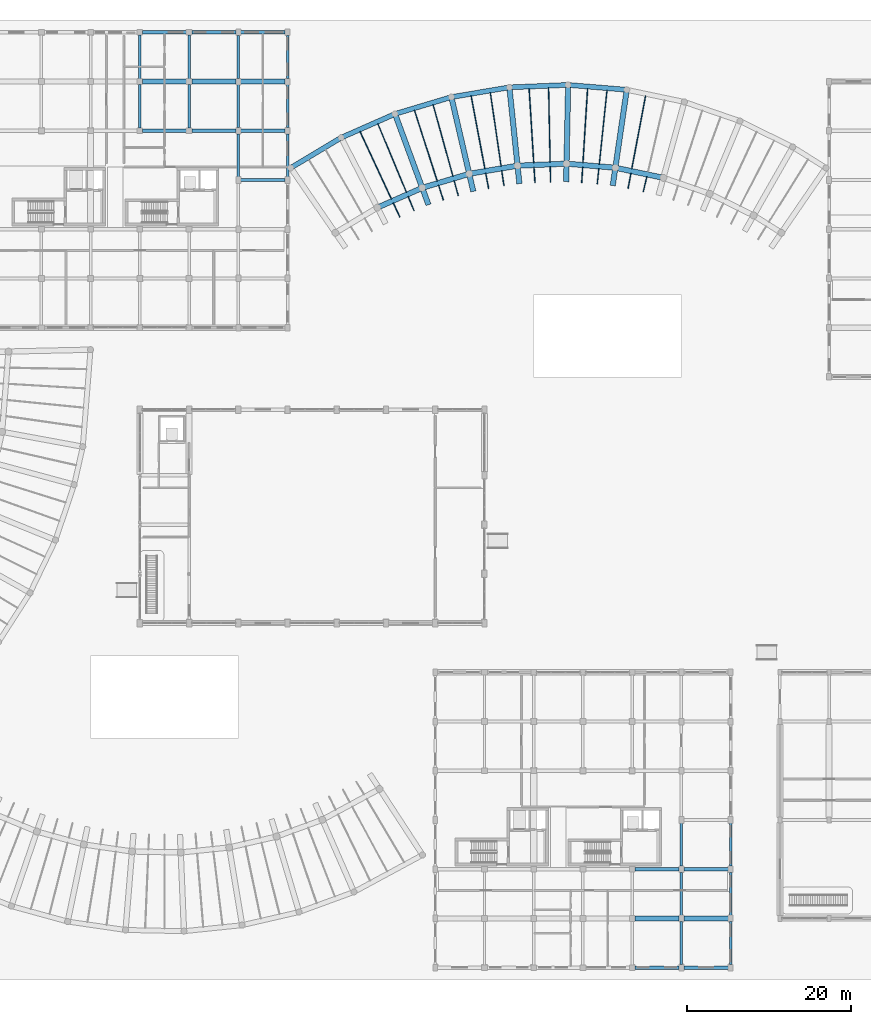
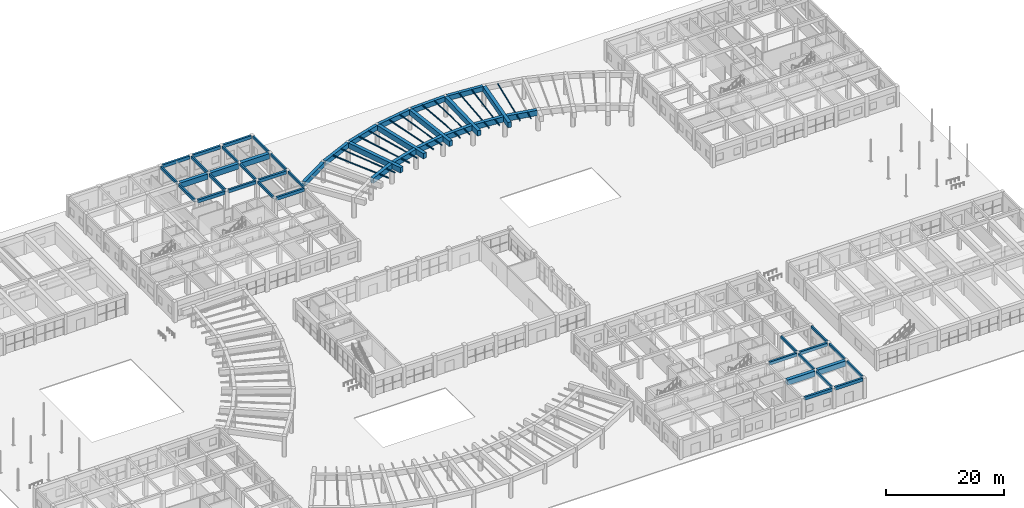
# One storey, part 29 of 76: 72 beams.
"""IFC4 building model written with IfcOpenShell, lengths in metres."""

from ifc_helpers import new_model, si_unit, direction, frame, origin, origin_2d, place, context, subcontext, project, spatial, rectangle, i_section, extrude, material, material_profile, profile_set, type_object, element, save


model = new_model("IFC4")

# Units and contexts
model_context = context("Model", 3, precision=1e-05, world=origin(), true_north=direction((0.0, 1.0)))
body_context = subcontext(model_context, "Body", "Model", "MODEL_VIEW")
ifc_project = project(units=[si_unit("LENGTHUNIT", "METRE"), si_unit("AREAUNIT", "SQUARE_METRE"), si_unit("VOLUMEUNIT", "CUBIC_METRE"), si_unit("PLANEANGLEUNIT", "RADIAN"), si_unit("MASSUNIT", "GRAM", prefix="KILO"), si_unit("POWERUNIT", "WATT"), si_unit("THERMODYNAMICTEMPERATUREUNIT", "KELVIN")], contexts=[model_context])

# Site, building, storey
site_placement = place(None, origin())
site = spatial("IfcSite", under=ifc_project, at=site_placement, CompositionType="ELEMENT")
building_placement = place(site_placement, origin())
building = spatial("IfcBuilding", under=site, at=building_placement, Name="Ruvembo Vaulted Housing Court", CompositionType="ELEMENT")
storey_placement = place(building_placement, origin())
storey = spatial("IfcBuildingStorey", under=building, at=storey_placement, Name="L00", CompositionType="ELEMENT", Elevation=0.0)

# Beams
ifc_material_1 = material(Name="Concrete C35/45", Category="concrete")
ifc_material_profile_1 = material_profile(ifc_material_1, rectangle(XDim=0.300048828125, YDim=0.60009765625, at=origin_2d()), Name="RC 300x600")
ifc_profile_set_1 = profile_set([ifc_material_profile_1], Name="Concrete C35/45")
beam_type_1 = type_object("IfcBeamType", Name="BM-RC-300x600", PredefinedType="BEAM", material=ifc_profile_set_1)
for number, where, z_axis, x_axis, name in (
    (1, (66.0, 102.3349609375, 3.929931640625), (0.0, 1.0, 0.0), (-1.0, 0.0, 0.0), "L00 Grid Beam Y #1013"),
    (2, (66.0, 108.3349609375, 3.929931640625), (0.0, 1.0, 0.0), (-1.0, 0.0, 0.0), "L00 Grid Beam Y #1014"),
    (3, (72.0, 102.3349609375, 3.929931640625), (0.0, 1.0, 0.0), (-1.0, 0.0, 0.0), "L00 Grid Beam Y #1021"),
    (4, (72.0, 108.3349609375, 3.929931640625), (0.0, 1.0, 0.0), (-1.0, 0.0, 0.0), "L00 Grid Beam Y #1022"),
):
    element("IfcBeam", number, at=place(storey_placement, frame(where, z_axis=z_axis, x_axis=x_axis)), inside=storey, type_object=beam_type_1, Name=name, PredefinedType="BEAM", context=body_context, shape_type="SweptSolid", body=[
        extrude(rectangle(XDim=0.300048828125, YDim=0.60009765625, at=origin_2d()), origin(), (0.0, 0.0, 1.0), 5.330078125),
    ])
ifc_material_profile_2 = material_profile(ifc_material_1, rectangle(XDim=0.39990234375, YDim=0.64990234375, at=origin_2d()), Name="RC 400x650")
ifc_profile_set_2 = profile_set([ifc_material_profile_2], Name="Concrete C35/45")
beam_type_2 = type_object("IfcBeamType", Name="BM-RC-400x650", PredefinedType="BEAM", material=ifc_profile_set_2)
beam_1_placement = place(storey_placement, frame((126.3349609375, 0.0, 3.905029296875), z_axis=(1.0, 0.0, 0.0), x_axis=(0.0, 1.0, 0.0)))
element("IfcBeam", 5, at=beam_1_placement, inside=storey, type_object=beam_type_2, Name="L00 Grid Beam X #738", PredefinedType="BEAM", context=body_context, shape_type="SweptSolid", body=[
    extrude(rectangle(XDim=0.39990234375, YDim=0.64990234375, at=origin_2d()), origin(), (0.0, 0.0, 1.0), 5.380126953125),
])
beam_2_placement = place(storey_placement, frame((132.284912109375, 0.0, 3.905029296875), z_axis=(1.0, 0.0, 0.0), x_axis=(0.0, 1.0, 0.0)))
element("IfcBeam", 6, at=beam_2_placement, inside=storey, type_object=beam_type_2, Name="L00 Grid Beam X #739", PredefinedType="BEAM", context=body_context, shape_type="SweptSolid", body=[
    extrude(rectangle(XDim=0.39990234375, YDim=0.64990234375, at=origin_2d()), origin(), (0.0, 0.0, 1.0), 5.43017578125),
])
beam_3_placement = place(storey_placement, frame((126.3349609375, 12.0, 3.905029296875), z_axis=(1.0, 0.0, 0.0), x_axis=(0.0, 1.0, 0.0)))
element("IfcBeam", 7, at=beam_3_placement, inside=storey, type_object=beam_type_2, Name="L00 Grid Beam X #769", PredefinedType="BEAM", context=body_context, shape_type="SweptSolid", body=[
    extrude(rectangle(XDim=0.39990234375, YDim=0.64990234375, at=origin_2d()), origin(), (0.0, 0.0, 1.0), 5.380126953125),
])
for number, where, z_axis, x_axis, name in (
    (8, (132.284912109375, 12.0, 3.905029296875), (1.0, 0.0, 0.0), (0.0, 1.0, 0.0), "L00 Grid Beam X #770"),
    (9, (78.284912109375, 96.0, 3.905029296875), (1.0, 0.0, 0.0), (0.0, 1.0, 0.0), "L00 Grid Beam X #901"),
):
    element("IfcBeam", number, at=place(storey_placement, frame(where, z_axis=z_axis, x_axis=x_axis)), inside=storey, type_object=beam_type_2, Name=name, PredefinedType="BEAM", context=body_context, shape_type="SweptSolid", body=[
        extrude(rectangle(XDim=0.39990234375, YDim=0.64990234375, at=origin_2d()), origin(), (0.0, 0.0, 1.0), 5.43017578125),
    ])
beam_4_placement = place(storey_placement, frame((66.3349609375, 102.0, 3.905029296875), z_axis=(1.0, 0.0, 0.0), x_axis=(0.0, 1.0, 0.0)))
element("IfcBeam", 10, at=beam_4_placement, inside=storey, type_object=beam_type_2, Name="L00 Grid Beam X #911", PredefinedType="BEAM", context=body_context, shape_type="SweptSolid", body=[
    extrude(rectangle(XDim=0.39990234375, YDim=0.64990234375, at=origin_2d()), origin(), (0.0, 0.0, 1.0), 5.330078125),
])
beam_5_placement = place(storey_placement, frame((72.3349609375, 102.0, 3.905029296875), z_axis=(1.0, 0.0, 0.0), x_axis=(0.0, 1.0, 0.0)))
element("IfcBeam", 11, at=beam_5_placement, inside=storey, type_object=beam_type_2, Name="L00 Grid Beam X #912", PredefinedType="BEAM", context=body_context, shape_type="SweptSolid", body=[
    extrude(rectangle(XDim=0.39990234375, YDim=0.64990234375, at=origin_2d()), origin(), (0.0, 0.0, 1.0), 5.380126953125),
])
beam_6_placement = place(storey_placement, frame((78.284912109375, 102.0, 3.905029296875), z_axis=(1.0, 0.0, 0.0), x_axis=(0.0, 1.0, 0.0)))
element("IfcBeam", 12, at=beam_6_placement, inside=storey, type_object=beam_type_2, Name="L00 Grid Beam X #913", PredefinedType="BEAM", context=body_context, shape_type="SweptSolid", body=[
    extrude(rectangle(XDim=0.39990234375, YDim=0.64990234375, at=origin_2d()), origin(), (0.0, 0.0, 1.0), 5.43017578125),
])
beam_7_placement = place(storey_placement, frame((66.3349609375, 114.0, 3.905029296875), z_axis=(1.0, 0.0, 0.0), x_axis=(0.0, 1.0, 0.0)))
element("IfcBeam", 13, at=beam_7_placement, inside=storey, type_object=beam_type_2, Name="L00 Grid Beam X #941", PredefinedType="BEAM", context=body_context, shape_type="SweptSolid", body=[
    extrude(rectangle(XDim=0.39990234375, YDim=0.64990234375, at=origin_2d()), origin(), (0.0, 0.0, 1.0), 5.330078125),
])
beam_8_placement = place(storey_placement, frame((72.3349609375, 114.0, 3.905029296875), z_axis=(1.0, 0.0, 0.0), x_axis=(0.0, 1.0, 0.0)))
element("IfcBeam", 14, at=beam_8_placement, inside=storey, type_object=beam_type_2, Name="L00 Grid Beam X #942", PredefinedType="BEAM", context=body_context, shape_type="SweptSolid", body=[
    extrude(rectangle(XDim=0.39990234375, YDim=0.64990234375, at=origin_2d()), origin(), (0.0, 0.0, 1.0), 5.380126953125),
])
beam_9_placement = place(storey_placement, frame((78.284912109375, 114.0, 3.905029296875), z_axis=(1.0, 0.0, 0.0), x_axis=(0.0, 1.0, 0.0)))
element("IfcBeam", 15, at=beam_9_placement, inside=storey, type_object=beam_type_2, Name="L00 Grid Beam X #943", PredefinedType="BEAM", context=body_context, shape_type="SweptSolid", body=[
    extrude(rectangle(XDim=0.39990234375, YDim=0.64990234375, at=origin_2d()), origin(), (0.0, 0.0, 1.0), 5.43017578125),
])
ifc_material_2 = material(Name="Steel S355J2", Category="steel")
ifc_material_profile_3 = material_profile(ifc_material_2, i_section(OverallWidth=0.08203125, OverallDepth=0.159912109375, WebThickness=0.0048828125, FlangeThickness=0.00732421875, FilletRadius=0.009033203125, at=origin_2d()), Name="IPE 160")
ifc_profile_set_3 = profile_set([ifc_material_profile_3], Name="Steel S355J2")
beam_type_3 = type_object("IfcBeamType", Name="BM-ST-IPE160", PredefinedType="JOIST", material=ifc_profile_set_3)
beam_10_placement = place(storey_placement, frame((95.00390625, 102.856689453125, 4.159912109375), z_axis=(0.384192177087, -0.923253145711, 0.0), x_axis=(0.923253145711, 0.384192177087, 0.0)))
element("IfcBeam", 16, at=beam_10_placement, inside=storey, type_object=beam_type_3, Name="Scoop SC3 L00 Interior Radial Joist 5", PredefinedType="JOIST", context=body_context, shape_type="SweptSolid", body=[
    extrude(i_section(OverallWidth=0.08203125, OverallDepth=0.159912109375, WebThickness=0.0048828125, FlangeThickness=0.00732421875, FilletRadius=0.009033203125, at=origin_2d()), origin(), (0.0, 0.0, 1.0), 9.053466796875),
])
beam_11_placement = place(storey_placement, frame((98.697509765625, 93.98095703125, 4.159912109375), z_axis=(0.384181313701, -0.923257666203, 0.0), x_axis=(0.923257666203, 0.384181313701, 0.0)))
element("IfcBeam", 17, at=beam_11_placement, inside=storey, type_object=beam_type_3, Name="Scoop SC3 L00 Radial Balcony Outrigger Joist 5", PredefinedType="JOIST", context=body_context, shape_type="SweptSolid", body=[
    extrude(i_section(OverallWidth=0.08203125, OverallDepth=0.159912109375, WebThickness=0.0048828125, FlangeThickness=0.00732421875, FilletRadius=0.009033203125, at=origin_2d()), origin(), (0.0, 0.0, 1.0), 1.877197265625),
])
beam_12_placement = place(storey_placement, frame((101.739501953125, 105.179443359375, 4.159912109375), z_axis=(0.266540750321, -0.963823650062, 0.0), x_axis=(0.963823650062, 0.266540750321, 0.0)))
element("IfcBeam", 18, at=beam_12_placement, inside=storey, type_object=beam_type_3, Name="Scoop SC3 L00 Interior Radial Joist 8", PredefinedType="JOIST", context=body_context, shape_type="SweptSolid", body=[
    extrude(i_section(OverallWidth=0.08203125, OverallDepth=0.159912109375, WebThickness=0.0048828125, FlangeThickness=0.00732421875, FilletRadius=0.009033203125, at=origin_2d()), origin(), (0.0, 0.0, 1.0), 9.053466796875),
])
beam_13_placement = place(storey_placement, frame((104.302001953125, 95.913818359375, 4.159912109375), z_axis=(0.266570634102, -0.963815385348, 0.0), x_axis=(0.963815385348, 0.266570634102, 0.0)))
element("IfcBeam", 19, at=beam_13_placement, inside=storey, type_object=beam_type_3, Name="Scoop SC3 L00 Radial Balcony Outrigger Joist 8", PredefinedType="JOIST", context=body_context, shape_type="SweptSolid", body=[
    extrude(i_section(OverallWidth=0.08203125, OverallDepth=0.159912109375, WebThickness=0.0048828125, FlangeThickness=0.00732421875, FilletRadius=0.009033203125, at=origin_2d()), origin(), (0.0, 0.0, 1.0), 1.87744140625),
])
beam_14_placement = place(storey_placement, frame((108.71142578125, 106.647705078125, 4.159912109375), z_axis=(0.144780506483, -0.989463796681, 0.0), x_axis=(0.989463796681, 0.144780506483, 0.0)))
element("IfcBeam", 20, at=beam_14_placement, inside=storey, type_object=beam_type_3, Name="Scoop SC3 L00 Interior Radial Joist 11", PredefinedType="JOIST", context=body_context, shape_type="SweptSolid", body=[
    extrude(i_section(OverallWidth=0.08203125, OverallDepth=0.159912109375, WebThickness=0.0048828125, FlangeThickness=0.00732421875, FilletRadius=0.009033203125, at=origin_2d()), origin(), (0.0, 0.0, 1.0), 9.0537109375),
])
beam_15_placement = place(storey_placement, frame((110.103271484375, 97.135498046875, 4.159912109375), z_axis=(0.144733970708, -0.98947060478, 0.0), x_axis=(0.98947060478, 0.144733970708, 0.0)))
element("IfcBeam", 21, at=beam_15_placement, inside=storey, type_object=beam_type_3, Name="Scoop SC3 L00 Radial Balcony Outrigger Joist 11", PredefinedType="JOIST", context=body_context, shape_type="SweptSolid", body=[
    extrude(i_section(OverallWidth=0.08203125, OverallDepth=0.159912109375, WebThickness=0.0048828125, FlangeThickness=0.00732421875, FilletRadius=0.009033203125, at=origin_2d()), origin(), (0.0, 0.0, 1.0), 1.87744140625),
])
beam_16_placement = place(storey_placement, frame((115.811767578125, 107.23828125, 4.159912109375), z_axis=(0.020764794171, -0.999784388417, 0.0), x_axis=(0.999784388417, 0.020764794171, 0.0)))
element("IfcBeam", 22, at=beam_16_placement, inside=storey, type_object=beam_type_3, Name="Scoop SC3 L00 Interior Radial Joist 14", PredefinedType="JOIST", context=body_context, shape_type="SweptSolid", body=[
    extrude(i_section(OverallWidth=0.08203125, OverallDepth=0.159912109375, WebThickness=0.0048828125, FlangeThickness=0.00732421875, FilletRadius=0.009033203125, at=origin_2d()), origin(), (0.0, 0.0, 1.0), 9.05322265625),
])
beam_17_placement = place(storey_placement, frame((116.011474609375, 97.627197265625, 4.159912109375), z_axis=(0.020674472023, -0.999786260261, 0.0), x_axis=(0.999786260261, 0.020674472023, 0.0)))
element("IfcBeam", 23, at=beam_17_placement, inside=storey, type_object=beam_type_3, Name="Scoop SC3 L00 Radial Balcony Outrigger Joist 14", PredefinedType="JOIST", context=body_context, shape_type="SweptSolid", body=[
    extrude(i_section(OverallWidth=0.08203125, OverallDepth=0.159912109375, WebThickness=0.0048828125, FlangeThickness=0.00732421875, FilletRadius=0.009033203125, at=origin_2d()), origin(), (0.0, 0.0, 1.0), 1.877685546875),
])
beam_18_placement = place(storey_placement, frame((122.9306640625, 106.94287109375, 4.159912109375), z_axis=(-0.103603861204, -0.994618640457, 0.0), x_axis=(0.994618640457, -0.103603861204, 0.0)))
element("IfcBeam", 24, at=beam_18_placement, inside=storey, type_object=beam_type_3, Name="Scoop SC3 L00 Interior Radial Joist 17", PredefinedType="JOIST", context=body_context, shape_type="SweptSolid", body=[
    extrude(i_section(OverallWidth=0.08203125, OverallDepth=0.159912109375, WebThickness=0.0048828125, FlangeThickness=0.00732421875, FilletRadius=0.009033203125, at=origin_2d()), origin(), (0.0, 0.0, 1.0), 9.0537109375),
])
beam_19_placement = place(storey_placement, frame((121.934814453125, 97.381103515625, 4.159912109375), z_axis=(-0.10364896847, -0.994613940851, 0.0), x_axis=(0.994613940851, -0.10364896847, 0.0)))
element("IfcBeam", 25, at=beam_19_placement, inside=storey, type_object=beam_type_3, Name="Scoop SC3 L00 Radial Balcony Outrigger Joist 17", PredefinedType="JOIST", context=body_context, shape_type="SweptSolid", body=[
    extrude(i_section(OverallWidth=0.08203125, OverallDepth=0.159912109375, WebThickness=0.0048828125, FlangeThickness=0.00732421875, FilletRadius=0.009033203125, at=origin_2d()), origin(), (0.0, 0.0, 1.0), 1.877197265625),
])
beam_20_placement = place(storey_placement, frame((127.78173828125, 96.401123046875, 4.159912109375), z_axis=(-0.226407335966, -0.97403270901, 0.0), x_axis=(0.97403270901, -0.226407335966, 0.0)))
element("IfcBeam", 26, at=beam_20_placement, inside=storey, type_object=beam_type_3, Name="Scoop SC3 L00 Radial Balcony Outrigger Joist 20", PredefinedType="JOIST", context=body_context, shape_type="SweptSolid", body=[
    extrude(i_section(OverallWidth=0.08203125, OverallDepth=0.159912109375, WebThickness=0.0048828125, FlangeThickness=0.00732421875, FilletRadius=0.009033203125, at=origin_2d()), origin(), (0.0, 0.0, 1.0), 1.87744140625),
])
ifc_material_profile_4 = material_profile(ifc_material_2, i_section(OverallWidth=0.091064453125, OverallDepth=0.179931640625, WebThickness=0.00537109375, FlangeThickness=0.008056640625, FilletRadius=0.009033203125, at=origin_2d()), Name="IPE 180")
ifc_profile_set_4 = profile_set([ifc_material_profile_4], Name="Steel S355J2")
beam_type_4 = type_object("IfcBeamType", Name="BM-ST-IPE180", PredefinedType="JOIST", material=ifc_profile_set_4)
beam_21_placement = place(storey_placement, frame((92.8291015625, 101.898193359375, 4.14990234375), z_axis=(0.422210699602, -0.906497724841, 0.0), x_axis=(0.906497724841, 0.422210699602, 0.0)))
element("IfcBeam", 27, at=beam_21_placement, inside=storey, type_object=beam_type_4, Name="Scoop SC3 L00 Interior Radial Joist 4", PredefinedType="JOIST", context=body_context, shape_type="SweptSolid", body=[
    extrude(i_section(OverallWidth=0.091064453125, OverallDepth=0.179931640625, WebThickness=0.00537109375, FlangeThickness=0.008056640625, FilletRadius=0.009033203125, at=origin_2d()), origin(), (0.0, 0.0, 1.0), 9.053466796875),
])
beam_22_placement = place(storey_placement, frame((96.887939453125, 93.18359375, 4.14990234375), z_axis=(0.422230423567, -0.906488537939, 0.0), x_axis=(0.906488537939, 0.422230423567, 0.0)))
element("IfcBeam", 28, at=beam_22_placement, inside=storey, type_object=beam_type_4, Name="Scoop SC3 L00 Radial Balcony Outrigger Joist 4", PredefinedType="JOIST", context=body_context, shape_type="SweptSolid", body=[
    extrude(i_section(OverallWidth=0.091064453125, OverallDepth=0.179931640625, WebThickness=0.00537109375, FlangeThickness=0.008056640625, FilletRadius=0.009033203125, at=origin_2d()), origin(), (0.0, 0.0, 1.0), 1.87744140625),
])
beam_23_placement = place(storey_placement, frame((99.462646484375, 104.49853515625, 4.14990234375), z_axis=(0.306340866922, -0.951921884008, 0.0), x_axis=(0.951921884008, 0.306340866922, 0.0)))
element("IfcBeam", 29, at=beam_23_placement, inside=storey, type_object=beam_type_4, Name="Scoop SC3 L00 Interior Radial Joist 7", PredefinedType="JOIST", context=body_context, shape_type="SweptSolid", body=[
    extrude(i_section(OverallWidth=0.091064453125, OverallDepth=0.179931640625, WebThickness=0.00537109375, FlangeThickness=0.008056640625, FilletRadius=0.009033203125, at=origin_2d()), origin(), (0.0, 0.0, 1.0), 9.053466796875),
])
beam_24_placement = place(storey_placement, frame((102.40771484375, 95.347412109375, 4.14990234375), z_axis=(0.306261747352, -0.951947342088, 0.0), x_axis=(0.951947342088, 0.306261747352, 0.0)))
element("IfcBeam", 30, at=beam_24_placement, inside=storey, type_object=beam_type_4, Name="Scoop SC3 L00 Radial Balcony Outrigger Joist 7", PredefinedType="JOIST", context=body_context, shape_type="SweptSolid", body=[
    extrude(i_section(OverallWidth=0.091064453125, OverallDepth=0.179931640625, WebThickness=0.00537109375, FlangeThickness=0.008056640625, FilletRadius=0.009033203125, at=origin_2d()), origin(), (0.0, 0.0, 1.0), 1.87744140625),
])
beam_25_placement = place(storey_placement, frame((106.367919921875, 106.2548828125, 4.14990234375), z_axis=(0.185691830155, -0.982608031828, 0.0), x_axis=(0.982608031828, 0.185691830155, 0.0)))
element("IfcBeam", 31, at=beam_25_placement, inside=storey, type_object=beam_type_4, Name="Scoop SC3 L00 Interior Radial Joist 10", PredefinedType="JOIST", context=body_context, shape_type="SweptSolid", body=[
    extrude(i_section(OverallWidth=0.091064453125, OverallDepth=0.179931640625, WebThickness=0.00537109375, FlangeThickness=0.008056640625, FilletRadius=0.009033203125, at=origin_2d()), origin(), (0.0, 0.0, 1.0), 9.053466796875),
])
beam_26_placement = place(storey_placement, frame((108.153076171875, 96.80859375, 4.14990234375), z_axis=(0.185725376025, -0.982601691786, 0.0), x_axis=(0.982601691786, 0.185725376025, 0.0)))
element("IfcBeam", 32, at=beam_26_placement, inside=storey, type_object=beam_type_4, Name="Scoop SC3 L00 Radial Balcony Outrigger Joist 10", PredefinedType="JOIST", context=body_context, shape_type="SweptSolid", body=[
    extrude(i_section(OverallWidth=0.091064453125, OverallDepth=0.179931640625, WebThickness=0.00537109375, FlangeThickness=0.008056640625, FilletRadius=0.009033203125, at=origin_2d()), origin(), (0.0, 0.0, 1.0), 1.877197265625),
])
beam_27_placement = place(storey_placement, frame((113.4375, 107.139892578125, 4.14990234375), z_axis=(0.062238940564, -0.998061277817, 0.0), x_axis=(0.998061277817, 0.062238940564, 0.0)))
element("IfcBeam", 33, at=beam_27_placement, inside=storey, type_object=beam_type_4, Name="Scoop SC3 L00 Interior Radial Joist 13", PredefinedType="JOIST", context=body_context, shape_type="SweptSolid", body=[
    extrude(i_section(OverallWidth=0.091064453125, OverallDepth=0.179931640625, WebThickness=0.00537109375, FlangeThickness=0.008056640625, FilletRadius=0.009033203125, at=origin_2d()), origin(), (0.0, 0.0, 1.0), 9.053466796875),
])
beam_28_placement = place(storey_placement, frame((114.035888671875, 97.544921875, 4.14990234375), z_axis=(0.062167762737, -0.998065713907, 0.0), x_axis=(0.998065713907, 0.062167762737, 0.0)))
element("IfcBeam", 34, at=beam_28_placement, inside=storey, type_object=beam_type_4, Name="Scoop SC3 L00 Radial Balcony Outrigger Joist 13", PredefinedType="JOIST", context=body_context, shape_type="SweptSolid", body=[
    extrude(i_section(OverallWidth=0.091064453125, OverallDepth=0.179931640625, WebThickness=0.00537109375, FlangeThickness=0.008056640625, FilletRadius=0.009033203125, at=origin_2d()), origin(), (0.0, 0.0, 1.0), 1.877197265625),
])
beam_29_placement = place(storey_placement, frame((120.5625, 107.139892578125, 4.14990234375), z_axis=(-0.062238940564, -0.998061277817, 0.0), x_axis=(0.998061277817, -0.062238940564, 0.0)))
element("IfcBeam", 35, at=beam_29_placement, inside=storey, type_object=beam_type_4, Name="Scoop SC3 L00 Interior Radial Joist 16", PredefinedType="JOIST", context=body_context, shape_type="SweptSolid", body=[
    extrude(i_section(OverallWidth=0.091064453125, OverallDepth=0.179931640625, WebThickness=0.00537109375, FlangeThickness=0.008056640625, FilletRadius=0.009033203125, at=origin_2d()), origin(), (0.0, 0.0, 1.0), 9.053466796875),
])
beam_30_placement = place(storey_placement, frame((119.964111328125, 97.544921875, 4.14990234375), z_axis=(-0.062167762737, -0.998065713907, 0.0), x_axis=(0.998065713907, -0.062167762737, 0.0)))
element("IfcBeam", 36, at=beam_30_placement, inside=storey, type_object=beam_type_4, Name="Scoop SC3 L00 Radial Balcony Outrigger Joist 16", PredefinedType="JOIST", context=body_context, shape_type="SweptSolid", body=[
    extrude(i_section(OverallWidth=0.091064453125, OverallDepth=0.179931640625, WebThickness=0.00537109375, FlangeThickness=0.008056640625, FilletRadius=0.009033203125, at=origin_2d()), origin(), (0.0, 0.0, 1.0), 1.877197265625),
])
beam_31_placement = place(storey_placement, frame((127.632080078125, 106.2548828125, 4.14990234375), z_axis=(-0.185691830155, -0.982608031828, 0.0), x_axis=(0.982608031828, -0.185691830155, 0.0)))
element("IfcBeam", 37, at=beam_31_placement, inside=storey, type_object=beam_type_4, Name="Scoop SC3 L00 Interior Radial Joist 19", PredefinedType="JOIST", context=body_context, shape_type="SweptSolid", body=[
    extrude(i_section(OverallWidth=0.091064453125, OverallDepth=0.179931640625, WebThickness=0.00537109375, FlangeThickness=0.008056640625, FilletRadius=0.009033203125, at=origin_2d()), origin(), (0.0, 0.0, 1.0), 9.053466796875),
])
beam_32_placement = place(storey_placement, frame((125.846923828125, 96.80859375, 4.14990234375), z_axis=(-0.185725376025, -0.982601691786, 0.0), x_axis=(0.982601691786, -0.185725376025, 0.0)))
element("IfcBeam", 38, at=beam_32_placement, inside=storey, type_object=beam_type_4, Name="Scoop SC3 L00 Radial Balcony Outrigger Joist 19", PredefinedType="JOIST", context=body_context, shape_type="SweptSolid", body=[
    extrude(i_section(OverallWidth=0.091064453125, OverallDepth=0.179931640625, WebThickness=0.00537109375, FlangeThickness=0.008056640625, FilletRadius=0.009033203125, at=origin_2d()), origin(), (0.0, 0.0, 1.0), 1.877197265625),
])
ifc_material_profile_5 = material_profile(ifc_material_1, rectangle(XDim=0.300048828125, YDim=0.5, at=origin_2d()), Name="RC 300x500")
ifc_profile_set_5 = profile_set([ifc_material_profile_5], Name="Concrete C35/45")
beam_type_5 = type_object("IfcBeamType", Name="SP-RC-300x500", PredefinedType="SPANDREL", material=ifc_profile_set_5)
for number, where, z_axis, x_axis, name in (
    (39, (78.0, 96.385009765625, 3.97998046875), (0.0, 1.0, 0.0), (-1.0, 0.0, 0.0), "L00 Grid Beam Y #1026"),
    (40, (78.0, 102.385009765625, 3.97998046875), (0.0, 1.0, 0.0), (-1.0, 0.0, 0.0), "L00 Grid Beam Y #1027"),
    (41, (78.0, 108.385009765625, 3.97998046875), (0.0, 1.0, 0.0), (-1.0, 0.0, 0.0), "L00 Grid Beam Y #1028"),
    (42, (84.0, 96.385009765625, 3.97998046875), (0.0, 1.0, 0.0), (-1.0, 0.0, 0.0), "L00 Grid Beam Y #1032"),
    (43, (84.0, 102.385009765625, 3.97998046875), (0.0, 1.0, 0.0), (-1.0, 0.0, 0.0), "L00 Grid Beam Y #1033"),
    (44, (84.0, 108.385009765625, 3.97998046875), (0.0, 1.0, 0.0), (-1.0, 0.0, 0.0), "L00 Grid Beam Y #1034"),
    (45, (132.0, 0.385009765625, 3.97998046875), (0.0, 1.0, 0.0), (-1.0, 0.0, 0.0), "L00 Grid Beam Y #1062"),
    (46, (132.0, 6.385009765625, 3.97998046875), (0.0, 1.0, 0.0), (-1.0, 0.0, 0.0), "L00 Grid Beam Y #1063"),
    (47, (132.0, 12.385009765625, 3.97998046875), (0.0, 1.0, 0.0), (-1.0, 0.0, 0.0), "L00 Grid Beam Y #1064"),
    (48, (138.0, 0.385009765625, 3.97998046875), (0.0, 1.0, 0.0), (-1.0, 0.0, 0.0), "L00 Grid Beam Y #1068"),
    (49, (138.0, 6.385009765625, 3.97998046875), (0.0, 1.0, 0.0), (-1.0, 0.0, 0.0), "L00 Grid Beam Y #1069"),
    (50, (138.0, 12.385009765625, 3.97998046875), (0.0, 1.0, 0.0), (-1.0, 0.0, 0.0), "L00 Grid Beam Y #1070"),
):
    element("IfcBeam", number, at=place(storey_placement, frame(where, z_axis=z_axis, x_axis=x_axis)), inside=storey, type_object=beam_type_5, Name=name, PredefinedType="SPANDREL", context=body_context, shape_type="SweptSolid", body=[
        extrude(rectangle(XDim=0.300048828125, YDim=0.5, at=origin_2d()), origin(), (0.0, 0.0, 1.0), 5.22998046875),
    ])
ifc_material_3 = material(Name="Concrete C40/50", Category="concrete")
ifc_material_profile_6 = material_profile(ifc_material_3, rectangle(XDim=0.60009765625, YDim=1.0, at=origin_2d()), Name="RC 600x1000")
ifc_profile_set_6 = profile_set([ifc_material_profile_6], Name="Concrete C40/50")
beam_type_6 = type_object("IfcBeamType", Name="TB-RC-600x1000", PredefinedType="BEAM", material=ifc_profile_set_6)
beam_33_placement = place(storey_placement, frame((84.592041015625, 97.6005859375, 3.748046875), z_axis=(0.857892035464, 0.513829986948, 0.0), x_axis=(-0.513829986948, 0.857892035464, 0.0)))
element("IfcBeam", 51, at=beam_33_placement, inside=storey, type_object=beam_type_6, Name="Scoop SC3 Pilotis Transfer Girder B0", PredefinedType="BEAM", context=body_context, shape_type="SweptSolid", body=[
    extrude(rectangle(XDim=0.60009765625, YDim=1.0, at=origin_2d()), origin(), (0.0, 0.0, 1.0), 6.6884765625),
])
for number, where, z_axis, x_axis, name in (
    (52, (90.755615234375, 101.257568359375, 3.748046875), (0.915077510289, 0.40327800605, 0.0), (-0.40327800605, 0.915077510289, 0.0), "Scoop SC3 Pilotis Transfer Girder B3"),
    (53, (97.325439453125, 104.120361328125, 3.748046875), (0.958078084245, 0.286507215424, 0.0), (-0.286507215424, 0.958078084245, 0.0), "Scoop SC3 Pilotis Transfer Girder B6"),
    (54, (104.2001953125, 106.14501953125, 3.748046875), (0.986245537938, 0.165286838248, 0.0), (-0.165286838248, 0.986245537938, 0.0), "Scoop SC3 Pilotis Transfer Girder B9"),
):
    element("IfcBeam", number, at=place(storey_placement, frame(where, z_axis=z_axis, x_axis=x_axis)), inside=storey, type_object=beam_type_6, Name=name, PredefinedType="BEAM", context=body_context, shape_type="SweptSolid", body=[
        extrude(rectangle(XDim=0.60009765625, YDim=1.0, at=origin_2d()), origin(), (0.0, 0.0, 1.0), 6.688232421875),
    ])
beam_34_placement = place(storey_placement, frame((111.27294921875, 107.300048828125, 3.748046875), z_axis=(0.999138378965, 0.04150300807, 0.0), x_axis=(-0.04150300807, 0.999138378965, 0.0)))
element("IfcBeam", 55, at=beam_34_placement, inside=storey, type_object=beam_type_6, Name="Scoop SC3 Pilotis Transfer Girder B12", PredefinedType="BEAM", context=body_context, shape_type="SweptSolid", body=[
    extrude(rectangle(XDim=0.60009765625, YDim=1.0, at=origin_2d()), origin(), (0.0, 0.0, 1.0), 6.6884765625),
])
beam_35_placement = place(storey_placement, frame((118.4345703125, 107.567626953125, 3.748046875), z_axis=(0.99655808262, -0.082897454512, 0.0), x_axis=(0.082897454512, 0.99655808262, 0.0)))
element("IfcBeam", 56, at=beam_35_placement, inside=storey, type_object=beam_type_6, Name="Scoop SC3 Pilotis Transfer Girder B15", PredefinedType="BEAM", context=body_context, shape_type="SweptSolid", body=[
    extrude(rectangle(XDim=0.60009765625, YDim=1.0, at=origin_2d()), origin(), (0.0, 0.0, 1.0), 6.688232421875),
])
ifc_material_profile_7 = material_profile(ifc_material_3, rectangle(XDim=0.64990234375, YDim=1.10009765625, at=origin_2d()), Name="RC 650x1100")
ifc_profile_set_7 = profile_set([ifc_material_profile_7], Name="Concrete C40/50")
beam_type_7 = type_object("IfcBeamType", Name="TB-RC-650x1100", PredefinedType="BEAM", material=ifc_profile_set_7)
beam_36_placement = place(storey_placement, frame((126.3349609375, 6.0, 3.679931640625), z_axis=(1.0, 0.0, 0.0), x_axis=(0.0, 1.0, 0.0)))
element("IfcBeam", 57, at=beam_36_placement, inside=storey, type_object=beam_type_7, Name="L00 Grid Beam X #750", PredefinedType="BEAM", context=body_context, shape_type="SweptSolid", body=[
    extrude(rectangle(XDim=0.64990234375, YDim=1.10009765625, at=origin_2d()), origin(), (0.0, 0.0, 1.0), 5.380126953125),
])
beam_37_placement = place(storey_placement, frame((132.284912109375, 6.0, 3.679931640625), z_axis=(1.0, 0.0, 0.0), x_axis=(0.0, 1.0, 0.0)))
element("IfcBeam", 58, at=beam_37_placement, inside=storey, type_object=beam_type_7, Name="L00 Grid Beam X #751", PredefinedType="BEAM", context=body_context, shape_type="SweptSolid", body=[
    extrude(rectangle(XDim=0.64990234375, YDim=1.10009765625, at=origin_2d()), origin(), (0.0, 0.0, 1.0), 5.43017578125),
])
beam_38_placement = place(storey_placement, frame((66.3349609375, 108.0, 3.679931640625), z_axis=(1.0, 0.0, 0.0), x_axis=(0.0, 1.0, 0.0)))
element("IfcBeam", 59, at=beam_38_placement, inside=storey, type_object=beam_type_7, Name="L00 Grid Beam X #929", PredefinedType="BEAM", context=body_context, shape_type="SweptSolid", body=[
    extrude(rectangle(XDim=0.64990234375, YDim=1.10009765625, at=origin_2d()), origin(), (0.0, 0.0, 1.0), 5.330078125),
])
beam_39_placement = place(storey_placement, frame((72.3349609375, 108.0, 3.679931640625), z_axis=(1.0, 0.0, 0.0), x_axis=(0.0, 1.0, 0.0)))
element("IfcBeam", 60, at=beam_39_placement, inside=storey, type_object=beam_type_7, Name="L00 Grid Beam X #930", PredefinedType="BEAM", context=body_context, shape_type="SweptSolid", body=[
    extrude(rectangle(XDim=0.64990234375, YDim=1.10009765625, at=origin_2d()), origin(), (0.0, 0.0, 1.0), 5.380126953125),
])
beam_40_placement = place(storey_placement, frame((78.284912109375, 108.0, 3.679931640625), z_axis=(1.0, 0.0, 0.0), x_axis=(0.0, 1.0, 0.0)))
element("IfcBeam", 61, at=beam_40_placement, inside=storey, type_object=beam_type_7, Name="L00 Grid Beam X #931", PredefinedType="BEAM", context=body_context, shape_type="SweptSolid", body=[
    extrude(rectangle(XDim=0.64990234375, YDim=1.10009765625, at=origin_2d()), origin(), (0.0, 0.0, 1.0), 5.43017578125),
])
beam_41_placement = place(storey_placement, frame((95.202880859375, 92.746826171875, 3.697998046875), z_axis=(0.915066158638, 0.403303763082, 0.0), x_axis=(-0.403303763082, 0.915066158638, 0.0)))
element("IfcBeam", 62, at=beam_41_placement, inside=storey, type_object=beam_type_7, Name="Scoop SC3 Pilotis Transfer Girder F3", PredefinedType="BEAM", context=body_context, shape_type="SweptSolid", body=[
    extrude(rectangle(XDim=0.64990234375, YDim=1.10009765625, at=origin_2d()), origin(), (0.0, 0.0, 1.0), 5.41357421875),
])
for number, where, z_axis, x_axis, name in (
    (63, (100.68115234375, 95.123291015625, 3.697998046875), (0.958080354644, 0.286499623114, 0.0), (-0.286499623114, 0.958080354644, 0.0), "Scoop SC3 Pilotis Transfer Girder F6"),
    (64, (106.412353515625, 96.80078125, 3.697998046875), (0.986247276517, 0.165276464034, 0.0), (-0.165276464034, 0.986247276517, 0.0), "Scoop SC3 Pilotis Transfer Girder F9"),
):
    element("IfcBeam", number, at=place(storey_placement, frame(where, z_axis=z_axis, x_axis=x_axis)), inside=storey, type_object=beam_type_7, Name=name, PredefinedType="BEAM", context=body_context, shape_type="SweptSolid", body=[
        extrude(rectangle(XDim=0.64990234375, YDim=1.10009765625, at=origin_2d()), origin(), (0.0, 0.0, 1.0), 5.413818359375),
    ])
beam_42_placement = place(storey_placement, frame((112.3076171875, 97.75341796875, 3.697998046875), z_axis=(0.999138847467, 0.04149172789, 0.0), x_axis=(-0.04149172789, 0.999138847467, 0.0)))
element("IfcBeam", 65, at=beam_42_placement, inside=storey, type_object=beam_type_7, Name="Scoop SC3 Pilotis Transfer Girder F12", PredefinedType="BEAM", context=body_context, shape_type="SweptSolid", body=[
    extrude(rectangle(XDim=0.64990234375, YDim=1.10009765625, at=origin_2d()), origin(), (0.0, 0.0, 1.0), 5.413330078125),
])
beam_43_placement = place(storey_placement, frame((118.275146484375, 97.966552734375, 3.697998046875), z_axis=(0.996555392539, -0.082929787179, 0.0), x_axis=(0.082929787179, 0.996555392539, 0.0)))
element("IfcBeam", 66, at=beam_43_placement, inside=storey, type_object=beam_type_7, Name="Scoop SC3 Pilotis Transfer Girder F15", PredefinedType="BEAM", context=body_context, shape_type="SweptSolid", body=[
    extrude(rectangle(XDim=0.64990234375, YDim=1.10009765625, at=origin_2d()), origin(), (0.0, 0.0, 1.0), 5.413818359375),
])
beam_44_placement = place(storey_placement, frame((124.223388671875, 97.4365234375, 3.697998046875), z_axis=(0.97854069262, -0.206053665065, 0.0), x_axis=(0.206053665065, 0.97854069262, 0.0)))
element("IfcBeam", 67, at=beam_44_placement, inside=storey, type_object=beam_type_7, Name="Scoop SC3 Pilotis Transfer Girder F18", PredefinedType="BEAM", context=body_context, shape_type="SweptSolid", body=[
    extrude(rectangle(XDim=0.64990234375, YDim=1.10009765625, at=origin_2d()), origin(), (0.0, 0.0, 1.0), 5.41357421875),
])
for number, where, z_axis, x_axis, name in (
    (68, (97.178466796875, 103.826416015625, 3.697998046875), (0.345555612733, -0.938398272861, 0.0), (0.938398272861, 0.345555612733, 0.0), "Scoop SC3 Radial Pilotis Transfer Girder 6"),
    (69, (104.017578125, 105.87158203125, 3.697998046875), (0.226336896121, -0.974049079592, 0.0), (0.974049079592, 0.226336896121, 0.0), "Scoop SC3 Radial Pilotis Transfer Girder 9"),
    (70, (111.05810546875, 107.051513671875, 3.697998046875), (0.103590849959, -0.994619995679, 0.0), (0.994619995679, 0.103590849959, 0.0), "Scoop SC3 Radial Pilotis Transfer Girder 12"),
    (71, (118.1904296875, 107.34765625, 3.697998046875), (-0.020760205904, -0.999784483702, 0.0), (0.999784483702, -0.020760205904, 0.0), "Scoop SC3 Radial Pilotis Transfer Girder 15"),
    (72, (125.304443359375, 106.755615234375, 3.697998046875), (-0.144773460408, -0.989464827653, 0.0), (0.989464827653, -0.144773460408, 0.0), "Scoop SC3 Radial Pilotis Transfer Girder 18"),
):
    element("IfcBeam", number, at=place(storey_placement, frame(where, z_axis=z_axis, x_axis=x_axis)), inside=storey, type_object=beam_type_7, Name=name, PredefinedType="BEAM", context=body_context, shape_type="SweptSolid", body=[
        extrude(rectangle(XDim=0.64990234375, YDim=1.10009765625, at=origin_2d()), origin(), (0.0, 0.0, 1.0), 11.56005859375),
    ])

save(model, "model.ifc")
